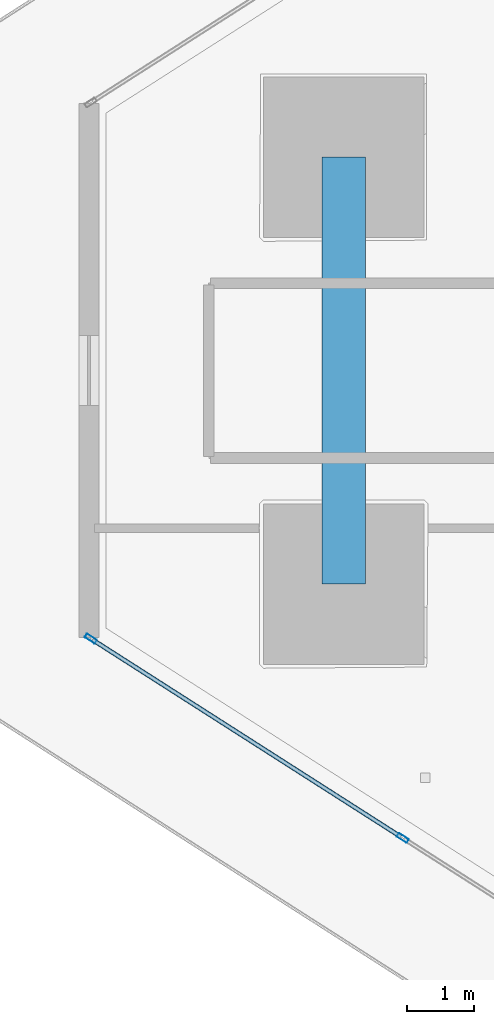
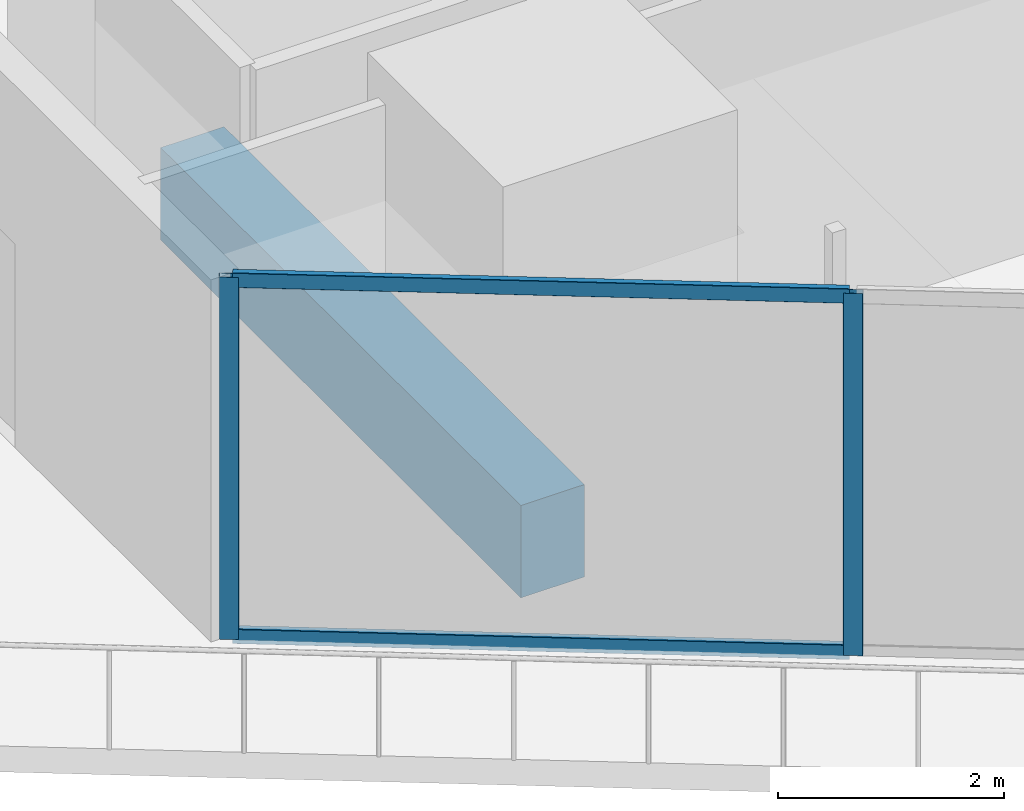
# One storey, part 4 of 46: 4 members, 1 beam, 1 element without a shape of its own.
"""IFC4 building model written with IfcOpenShell, lengths in metres."""

from ifc_helpers import new_model, si_unit, direction, frame, origin, origin_2d, place, context, subcontext, project, spatial, rectangle, hollow_rectangle, extrude, material, layer, layer_set, material_profile, profile_set, type_object, element, aggregate, save


model = new_model("IFC4")

# Units and contexts
model_context = context("Model", 3, precision=1e-05, world=origin(), true_north=direction((0.0, 1.0)))
body_context = subcontext(model_context, "Body", "Model", "MODEL_VIEW")
ifc_project = project(units=[si_unit("LENGTHUNIT", "METRE"), si_unit("AREAUNIT", "SQUARE_METRE"), si_unit("VOLUMEUNIT", "CUBIC_METRE"), si_unit("PLANEANGLEUNIT", "RADIAN"), si_unit("MASSUNIT", "GRAM", prefix="KILO")], contexts=[model_context])

# Site, building, storey
site_placement = place(None, origin())
site = spatial("IfcSite", under=ifc_project, at=site_placement, CompositionType="ELEMENT")
building_placement = place(site_placement, origin())
building = spatial("IfcBuilding", under=site, at=building_placement, Name="Qorvath Tower", CompositionType="ELEMENT")
storey_placement = place(building_placement, frame((0.0, 0.0, 87.0)))
storey = spatial("IfcBuildingStorey", under=building, at=storey_placement, Name="L19", CompositionType="ELEMENT", Elevation=87.0)

# Beam
ifc_material_1 = material(Name="Concrete C50/60", Category="concrete")
ifc_material_profile_1 = material_profile(ifc_material_1, rectangle(XDim=0.64990234375, YDim=1.0, at=origin_2d()), Name="RCB 1000x650")
ifc_profile_set_1 = profile_set([ifc_material_profile_1], Name="Concrete C50/60")
beam_type = type_object("IfcBeamType", Name="BM-RCB1", PredefinedType="SPANDREL", material=ifc_profile_set_1)
beam_placement = place(storey_placement, frame((-55.282958984375, 3.194580078125, -0.780029296875), z_axis=(0.0, -1.0, 0.0), x_axis=(1.0, 0.0, 0.0)))
element("IfcBeam", 1, at=beam_placement, inside=storey, type_object=beam_type, Name="Perimeter Loggia Frame Beam MC1-MC2 L19", PredefinedType="SPANDREL", context=body_context, shape_type="SweptSolid", body=[
    extrude(rectangle(XDim=0.64990234375, YDim=1.0, at=origin_2d()), origin(), (0.0, 0.0, 1.0), 6.38916015625),
])

# Curtain wall, members
ifc_material_2 = material(Name="Anodised aluminium and triple low-E glass", Category="aluminium")
ifc_layer = layer(ifc_material_2, 0.179931640625)
ifc_layer_set = layer_set([ifc_layer], Name="CW-SYS-2")
curtain_wall_type = type_object("IfcCurtainWallType", Name="CW-SYS-2", PredefinedType="NOTDEFINED", material=ifc_layer_set)
curtain_wall_placement = place(storey_placement, origin())
curtain_wall = element("IfcCurtainWall", 2, at=curtain_wall_placement, inside=storey, type_object=curtain_wall_type, Name="Curtain Wall CW-2 CW-T-L19-2.1", PredefinedType="NOTDEFINED")
ifc_material_3 = material(Name="Anodised aluminium 6063-T6", Category="aluminium")
ifc_material_profile_2 = material_profile(ifc_material_3, hollow_rectangle(XDim=0.06494140625, YDim=0.179931640625, WallThickness=0.00341796875, InnerFilletRadius=0.00341796875, OuterFilletRadius=0.007080078125, at=origin_2d()), Name="CWM 180x65")
ifc_profile_set_2 = profile_set([ifc_material_profile_2], Name="Anodised aluminium 6063-T6")
member_type_1 = type_object("IfcMemberType", Name="CWM-180", PredefinedType="MULLION", material=ifc_profile_set_2)
member_1_placement = place(storey_placement, frame((-59.067138671875, -4.01171875, 0.0), z_axis=(0.0, 0.0, 1.0), x_axis=(0.538527563, 0.842607894509, 0.0)))
member_1 = element("IfcMember", 3, at=member_1_placement, type_object=member_type_1, Name="CW-2 mullion 1", PredefinedType="MULLION", context=body_context, shape_type="SweptSolid", body=[
    extrude(hollow_rectangle(XDim=0.06494140625, YDim=0.179931640625, WallThickness=0.00341796875, InnerFilletRadius=0.00341796875, OuterFilletRadius=0.007080078125, at=origin_2d()), origin(), (0.0, 0.0, 1.0), 3.919921875),
])
member_2_placement = place(storey_placement, frame((-54.39990234375, -6.994384765625, 0.0), z_axis=(0.0, 0.0, 1.0), x_axis=(0.538527563, 0.842607894509, 0.0)))
member_2 = element("IfcMember", 4, at=member_2_placement, type_object=member_type_1, Name="CW-2 mullion 2", PredefinedType="MULLION", context=body_context, shape_type="SweptSolid", body=[
    extrude(hollow_rectangle(XDim=0.06494140625, YDim=0.179931640625, WallThickness=0.00341796875, InnerFilletRadius=0.00341796875, OuterFilletRadius=0.007080078125, at=origin_2d()), origin(), (0.0, 0.0, 1.0), 3.919921875),
])
ifc_material_4 = material(Name="Anodised aluminium 6063-T6", Category="aluminium")
ifc_material_profile_3 = material_profile(ifc_material_4, hollow_rectangle(XDim=0.06494140625, YDim=0.159912109375, WallThickness=0.00341796875, InnerFilletRadius=0.00341796875, OuterFilletRadius=0.007080078125, at=origin_2d()), Name="CWT 160x65")
ifc_profile_set_3 = profile_set([ifc_material_profile_3], Name="Anodised aluminium 6063-T6")
member_type_2 = type_object("IfcMemberType", Name="CWT-160", PredefinedType="USERDEFINED", material=ifc_profile_set_3)
member_3_placement = place(storey_placement, frame((-59.039794921875, -4.029052734375, 0.032470703125), z_axis=(0.842605755043, -0.538530910504, 0.0), x_axis=(0.538530910504, 0.842605755043, 0.0)))
member_3 = element("IfcMember", 5, at=member_3_placement, type_object=member_type_2, Name="CW-2 transom 1.1", ObjectType="TRANSOM", PredefinedType="USERDEFINED", context=body_context, shape_type="SweptSolid", body=[
    extrude(hollow_rectangle(XDim=0.06494140625, YDim=0.159912109375, WallThickness=0.00341796875, InnerFilletRadius=0.00341796875, OuterFilletRadius=0.007080078125, at=origin_2d()), origin(), (0.0, 0.0, 1.0), 5.47412109375),
])
member_4_placement = place(storey_placement, frame((-59.039794921875, -4.029052734375, 3.887451171875), z_axis=(0.842605755043, -0.538530910504, 0.0), x_axis=(0.538530910504, 0.842605755043, 0.0)))
member_4 = element("IfcMember", 6, at=member_4_placement, type_object=member_type_2, Name="CW-2 transom 1.2", ObjectType="TRANSOM", PredefinedType="USERDEFINED", context=body_context, shape_type="SweptSolid", body=[
    extrude(hollow_rectangle(XDim=0.06494140625, YDim=0.159912109375, WallThickness=0.00341796875, InnerFilletRadius=0.00341796875, OuterFilletRadius=0.007080078125, at=origin_2d()), origin(), (0.0, 0.0, 1.0), 5.47412109375),
])
aggregate(curtain_wall, [member_1, member_2, member_3, member_4])

save(model, "model.ifc")
